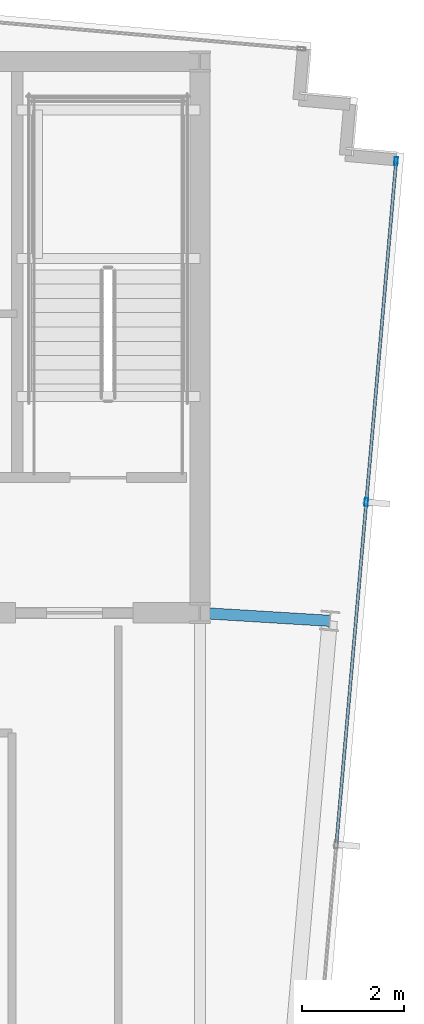
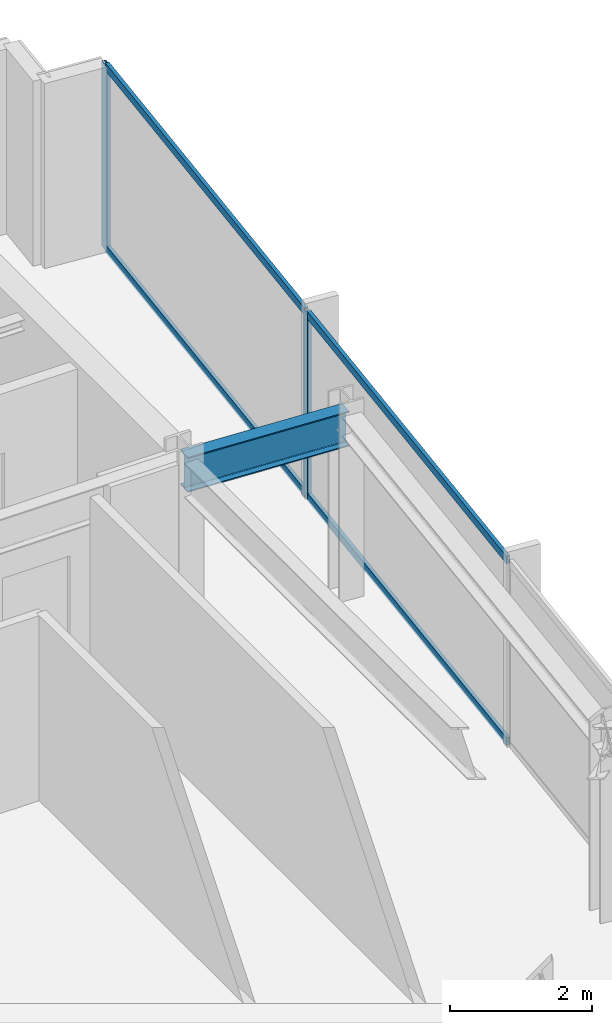
# One storey, part 21 of 33: 6 members, 1 beam, 1 element without a shape of its own.
"""IFC4 building model written with IfcOpenShell, lengths in metres."""

from ifc_helpers import new_model, si_unit, direction, frame, origin, origin_2d, place, context, subcontext, project, spatial, hollow_rectangle, i_section, extrude, material, material_profile, profile_set, type_object, element, aggregate, save


model = new_model("IFC4")

# Units and contexts
model_context = context("Model", 3, precision=1e-05, world=origin(), true_north=direction((0.0, 1.0)))
body_context = subcontext(model_context, "Body", "Model", "MODEL_VIEW")
ifc_project = project(units=[si_unit("LENGTHUNIT", "METRE"), si_unit("AREAUNIT", "SQUARE_METRE"), si_unit("VOLUMEUNIT", "CUBIC_METRE"), si_unit("PLANEANGLEUNIT", "RADIAN"), si_unit("MASSUNIT", "GRAM", prefix="KILO")], contexts=[model_context])

# Site, building, storey
site_placement = place(None, origin())
site = spatial("IfcSite", under=ifc_project, at=site_placement, CompositionType="ELEMENT")
building_placement = place(site_placement, origin())
building = spatial("IfcBuilding", under=site, at=building_placement, Name="Yelkora Congress Tower", CompositionType="ELEMENT")
storey_placement = place(building_placement, frame((0.0, 0.0, 289.699951171875)))
storey = spatial("IfcBuildingStorey", under=building, at=storey_placement, Name="L81", CompositionType="ELEMENT", Elevation=289.699951171875)

# Beam
ifc_material_1 = material(Name="Steel S355J2", Category="steel")
ifc_material_profile_1 = material_profile(ifc_material_1, i_section(OverallWidth=0.219970703125, OverallDepth=0.60009765625, WebThickness=0.011962890625, FlangeThickness=0.01904296875, FilletRadius=0.02392578125, at=origin_2d()), Name="IPE 600")
ifc_profile_set_1 = profile_set([ifc_material_profile_1], Name="Steel S355J2")
beam_type = type_object("IfcBeamType", Name="BM-GIRD-IPE600", PredefinedType="BEAM", material=ifc_profile_set_1)
beam_placement = place(storey_placement, frame((56.302001953125, 35.24560546875, 2.880126953125), z_axis=(-0.99816287892, 0.060587681471, 0.0), x_axis=(-0.060587681471, -0.99816287892, 0.0)))
element("IfcBeam", 1, at=beam_placement, inside=storey, type_object=beam_type, Name="L81 Primary Frame Girder E02", PredefinedType="BEAM", context=body_context, shape_type="SweptSolid", body=[
    extrude(i_section(OverallWidth=0.219970703125, OverallDepth=0.60009765625, WebThickness=0.011962890625, FlangeThickness=0.01904296875, FilletRadius=0.02392578125, at=origin_2d()), origin(), (0.0, 0.0, 1.0), 2.546630859375),
])

# Curtain wall, members
ifc_material_2 = material(Name="Anodised aluminium and insulated glass", Category="aluminium")
curtain_wall_type = type_object("IfcCurtainWallType", Name="CW-SYS-B5", PredefinedType="NOTDEFINED", material=ifc_material_2)
curtain_wall_placement = place(storey_placement, origin())
curtain_wall = element("IfcCurtainWall", 2, at=curtain_wall_placement, inside=storey, type_object=curtain_wall_type, Name="L81 Unitised Curtain Wall 15", PredefinedType="NOTDEFINED")
ifc_material_3 = material(Name="Anodised aluminium 6063-T6", Category="aluminium")
ifc_material_profile_2 = material_profile(ifc_material_3, hollow_rectangle(XDim=0.06494140625, YDim=0.159912109375, WallThickness=0.00390625, at=origin_2d()), Name="ALU 65x160x4")
ifc_profile_set_2 = profile_set([ifc_material_profile_2], Name="Anodised aluminium 6063-T6")
member_type_1 = type_object("IfcMemberType", Name="MEM-ML-B5", PredefinedType="MULLION", material=ifc_profile_set_2)
member_1_placement = place(storey_placement, frame((57.601318359375, 44.243896484375, 0.0), z_axis=(0.0, 0.0, 1.0), x_axis=(0.996194463398, -0.087158425264, 0.0)))
member_1 = element("IfcMember", 3, at=member_1_placement, type_object=member_type_1, Name="CW-B5 mullion 1", PredefinedType="MULLION", context=body_context, shape_type="SweptSolid", body=[
    extrude(hollow_rectangle(XDim=0.06494140625, YDim=0.159912109375, WallThickness=0.00390625, at=origin_2d()), origin(), (0.0, 0.0, 1.0), 3.179931640625),
])
member_2_placement = place(storey_placement, frame((57.017578125, 37.572021484375, 0.0), z_axis=(0.0, 0.0, 1.0), x_axis=(0.996194463398, -0.087158425264, 0.0)))
member_2 = element("IfcMember", 4, at=member_2_placement, type_object=member_type_1, Name="CW-B5 mullion 2", PredefinedType="MULLION", context=body_context, shape_type="SweptSolid", body=[
    extrude(hollow_rectangle(XDim=0.06494140625, YDim=0.159912109375, WallThickness=0.00390625, at=origin_2d()), origin(), (0.0, 0.0, 1.0), 3.179931640625),
])
ifc_material_profile_3 = material_profile(ifc_material_3, hollow_rectangle(XDim=0.06005859375, YDim=0.1298828125, WallThickness=0.00390625, at=origin_2d()), Name="ALU 60x130x4")
ifc_profile_set_3 = profile_set([ifc_material_profile_3], Name="Anodised aluminium 6063-T6")
member_type_2 = type_object("IfcMemberType", Name="MEM-TR-B5", PredefinedType="USERDEFINED", material=ifc_profile_set_3)
member_3_placement = place(storey_placement, frame((57.598388671875, 44.21142578125, 0.030029296875), z_axis=(-0.08716649365, -0.996193757451, 0.0), x_axis=(0.996193757451, -0.08716649365, 0.0)))
member_3 = element("IfcMember", 5, at=member_3_placement, type_object=member_type_2, Name="CW-B5 transom 1.1", ObjectType="TRANSOM", PredefinedType="USERDEFINED", context=body_context, shape_type="SweptSolid", body=[
    extrude(hollow_rectangle(XDim=0.06005859375, YDim=0.1298828125, WallThickness=0.00390625, at=origin_2d()), origin(), (0.0, 0.0, 1.0), 6.63232421875),
])
member_4_placement = place(storey_placement, frame((57.598388671875, 44.21142578125, 3.150146484375), z_axis=(-0.08716649365, -0.996193757451, 0.0), x_axis=(0.996193757451, -0.08716649365, 0.0)))
member_4 = element("IfcMember", 6, at=member_4_placement, type_object=member_type_2, Name="CW-B5 transom 1.2", ObjectType="TRANSOM", PredefinedType="USERDEFINED", context=body_context, shape_type="SweptSolid", body=[
    extrude(hollow_rectangle(XDim=0.06005859375, YDim=0.1298828125, WallThickness=0.00390625, at=origin_2d()), origin(), (0.0, 0.0, 1.0), 6.63232421875),
])
member_5_placement = place(storey_placement, frame((57.0146484375, 37.53955078125, 0.030029296875), z_axis=(-0.087143321513, -0.996195784731, 0.0), x_axis=(0.996195784731, -0.087143321513, 0.0)))
member_5 = element("IfcMember", 7, at=member_5_placement, type_object=member_type_2, Name="CW-B5 transom 2.1", ObjectType="TRANSOM", PredefinedType="USERDEFINED", context=body_context, shape_type="SweptSolid", body=[
    extrude(hollow_rectangle(XDim=0.06005859375, YDim=0.1298828125, WallThickness=0.00390625, at=origin_2d()), origin(), (0.0, 0.0, 1.0), 6.6650390625),
])
member_6_placement = place(storey_placement, frame((57.0146484375, 37.53955078125, 3.150146484375), z_axis=(-0.087143321513, -0.996195784731, 0.0), x_axis=(0.996195784731, -0.087143321513, 0.0)))
member_6 = element("IfcMember", 8, at=member_6_placement, type_object=member_type_2, Name="CW-B5 transom 2.2", ObjectType="TRANSOM", PredefinedType="USERDEFINED", context=body_context, shape_type="SweptSolid", body=[
    extrude(hollow_rectangle(XDim=0.06005859375, YDim=0.1298828125, WallThickness=0.00390625, at=origin_2d()), origin(), (0.0, 0.0, 1.0), 6.6650390625),
])
aggregate(curtain_wall, [member_1, member_2, member_3, member_4, member_5, member_6])

save(model, "model.ifc")
